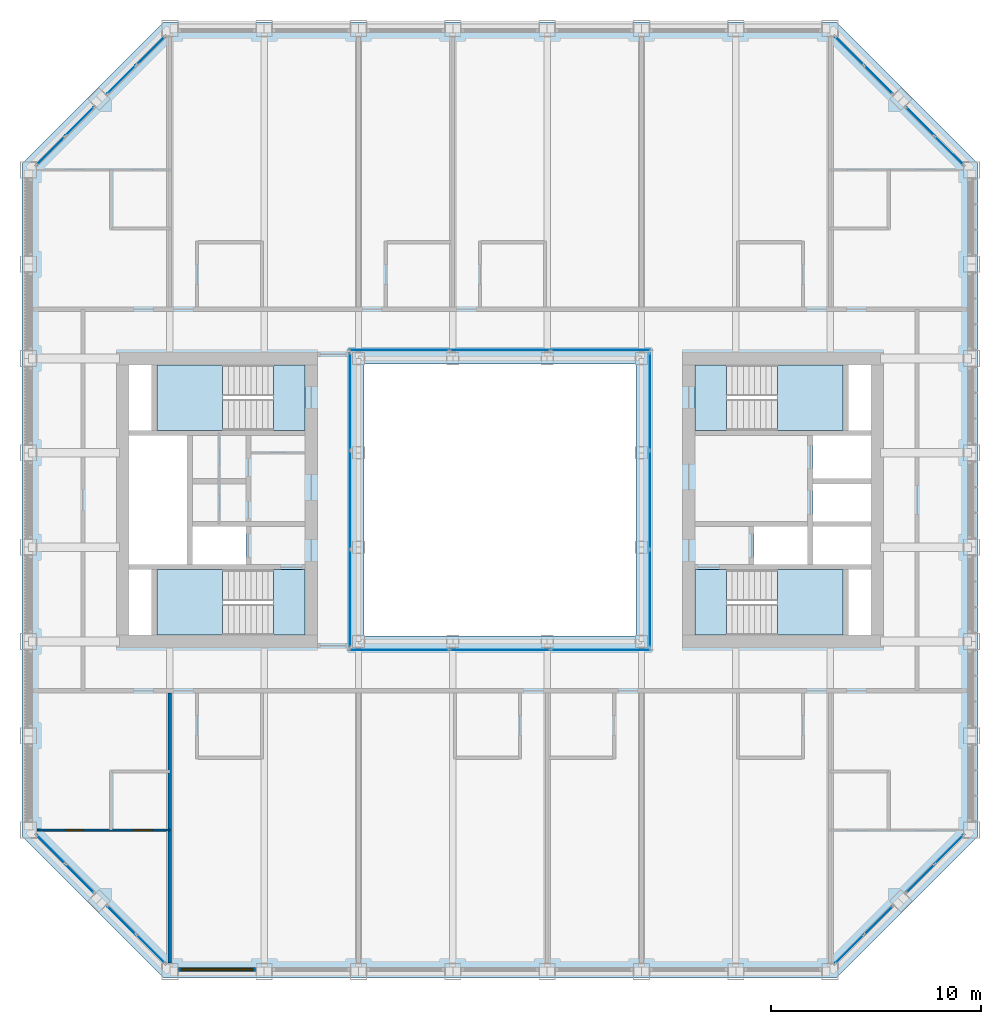
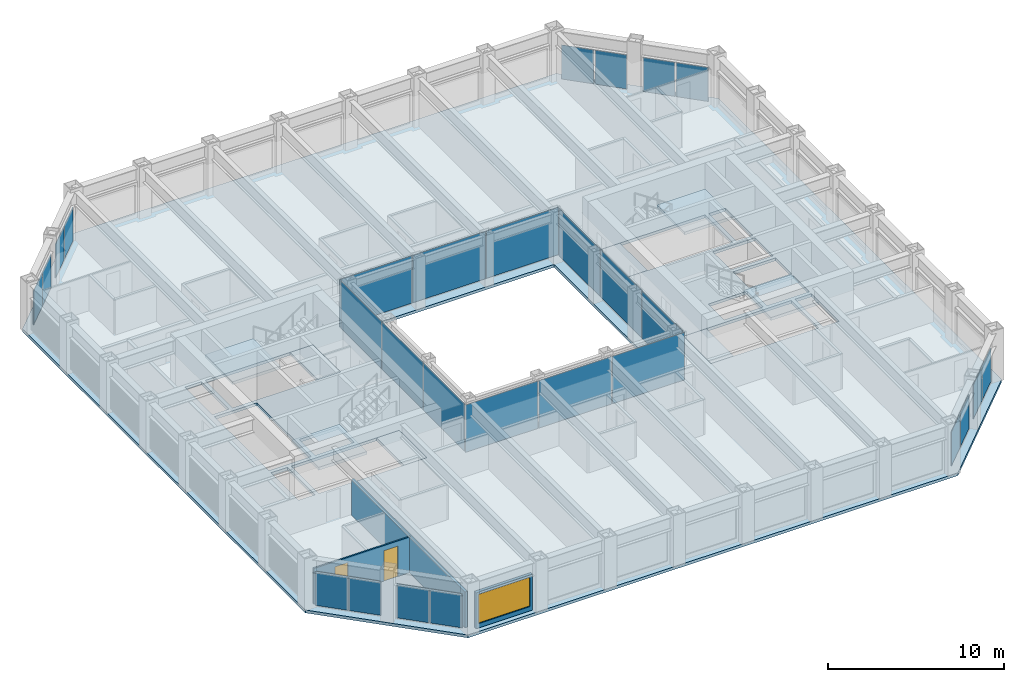
# One storey, part 9 of 17: 28 plates, 9 slabs, 3 walls, 2 doors, 1 window, 3 openings, 16 elements without a shape of their own.
"""IFC4 building model written with IfcOpenShell, lengths in metres."""

from ifc_helpers import new_model, si_unit, direction, frame, frame_2d, origin, origin_2d, place, context, subcontext, project, spatial, polyline, rectangle, outline, extrude, material, layer, layer_set, type_object, element, fill, aggregate, save


model = new_model("IFC4")

# Units and contexts
model_context = context("Model", 3, precision=1e-05, world=origin(), true_north=direction((0.0, 1.0)))
body_context = subcontext(model_context, "Body", "Model", "MODEL_VIEW")
ifc_project = project(units=[si_unit("LENGTHUNIT", "METRE"), si_unit("AREAUNIT", "SQUARE_METRE"), si_unit("VOLUMEUNIT", "CUBIC_METRE"), si_unit("PLANEANGLEUNIT", "RADIAN"), si_unit("MASSUNIT", "GRAM", prefix="KILO")], contexts=[model_context])

# Site, building, storey
site_placement = place(None, origin())
site = spatial("IfcSite", under=ifc_project, at=site_placement, CompositionType="ELEMENT")
building_placement = place(site_placement, origin())
building = spatial("IfcBuilding", under=site, at=building_placement, Name="Msasa Ring Tower", CompositionType="ELEMENT")
storey_placement = place(building_placement, frame((0.0, 0.0, 165.199951171875)))
storey = spatial("IfcBuildingStorey", under=building, at=storey_placement, Name="L43", CompositionType="ELEMENT", Elevation=165.199951171875)

# Curtain wall, plates
ifc_material_1 = material(Name="Aluminium curtain wall with clear glass", Category="aluminium")
curtain_wall_type_1 = type_object("IfcCurtainWallType", Name="CW-C CHAMFER CORNER CURTAIN WALL", PredefinedType="NOTDEFINED", material=ifc_material_1)
curtain_wall_1_placement = place(storey_placement, origin())
curtain_wall_1 = element("IfcCurtainWall", 1, at=curtain_wall_1_placement, inside=storey, type_object=curtain_wall_type_1, Name="Chamfer corner curtain wall SE L43", PredefinedType="NOTDEFINED")
ifc_material_2 = material(Name="Clear laminated insulating glass unit", Category="glass")
ifc_layer_1 = layer(ifc_material_2, 0.031982421875)
ifc_layer_set_1 = layer_set([ifc_layer_1], Name="CW-C GLASS PANEL 32")
plate_type_1 = type_object("IfcPlateType", Name="CW-C GLASS PANEL 32", PredefinedType="CURTAIN_PANEL", material=ifc_layer_set_1)
plate_1_placement = place(storey_placement, frame((16.677734375, -21.430908203125, 0.06494140625), z_axis=(0.0, 0.0, 1.0), x_axis=(0.707106781187, 0.707106781187, 0.0)))
plate_1 = element("IfcPlate", 2, at=plate_1_placement, type_object=plate_type_1, Name="CW-C panel 1.1", PredefinedType="CURTAIN_PANEL", context=body_context, shape_type="SweptSolid", body=[
    extrude(rectangle(XDim=1.884033203125, YDim=0.031982421875, at=origin_2d()), origin(), (0.0, 0.0, 1.0), 2.34912109375),
])
plate_2_placement = place(storey_placement, frame((18.055908203125, -20.052734375, 0.06494140625), z_axis=(0.0, 0.0, 1.0), x_axis=(0.707106781187, 0.707106781187, 0.0)))
plate_2 = element("IfcPlate", 3, at=plate_2_placement, type_object=plate_type_1, Name="CW-C panel 2.1", PredefinedType="CURTAIN_PANEL", context=body_context, shape_type="SweptSolid", body=[
    extrude(rectangle(XDim=1.884033203125, YDim=0.031982421875, at=origin_2d()), origin(), (0.0, 0.0, 1.0), 2.34912109375),
])
aggregate(curtain_wall_1, [plate_1, plate_2])

curtain_wall_2_placement = place(storey_placement, origin())
curtain_wall_2 = element("IfcCurtainWall", 4, at=curtain_wall_2_placement, inside=storey, type_object=curtain_wall_type_1, Name="Chamfer corner curtain wall SE L43", PredefinedType="NOTDEFINED")
plate_3_placement = place(storey_placement, frame((20.052734375, -18.055908203125, 0.06494140625), z_axis=(0.0, 0.0, 1.0), x_axis=(0.707106781187, 0.707106781187, 0.0)))
plate_3 = element("IfcPlate", 5, at=plate_3_placement, type_object=plate_type_1, Name="CW-C panel 1.1", PredefinedType="CURTAIN_PANEL", context=body_context, shape_type="SweptSolid", body=[
    extrude(rectangle(XDim=1.884033203125, YDim=0.031982421875, at=origin_2d()), origin(), (0.0, 0.0, 1.0), 2.34912109375),
])
plate_4_placement = place(storey_placement, frame((21.430908203125, -16.677734375, 0.06494140625), z_axis=(0.0, 0.0, 1.0), x_axis=(0.707106781187, 0.707106781187, 0.0)))
plate_4 = element("IfcPlate", 6, at=plate_4_placement, type_object=plate_type_1, Name="CW-C panel 2.1", PredefinedType="CURTAIN_PANEL", context=body_context, shape_type="SweptSolid", body=[
    extrude(rectangle(XDim=1.884033203125, YDim=0.031982421875, at=origin_2d()), origin(), (0.0, 0.0, 1.0), 2.34912109375),
])
aggregate(curtain_wall_2, [plate_3, plate_4])

curtain_wall_3_placement = place(storey_placement, origin())
curtain_wall_3 = element("IfcCurtainWall", 7, at=curtain_wall_3_placement, inside=storey, type_object=curtain_wall_type_1, Name="Chamfer corner curtain wall NE L43", PredefinedType="NOTDEFINED")
plate_5_placement = place(storey_placement, frame((18.055908203125, 20.052734375, 0.06494140625), z_axis=(0.0, 0.0, 1.0), x_axis=(-0.707106781187, 0.707106781187, 0.0)))
plate_5 = element("IfcPlate", 8, at=plate_5_placement, type_object=plate_type_1, Name="CW-C panel 1.1", PredefinedType="CURTAIN_PANEL", context=body_context, shape_type="SweptSolid", body=[
    extrude(rectangle(XDim=1.884033203125, YDim=0.031982421875, at=origin_2d()), origin(), (0.0, 0.0, 1.0), 2.34912109375),
])
plate_6_placement = place(storey_placement, frame((16.677734375, 21.430908203125, 0.06494140625), z_axis=(0.0, 0.0, 1.0), x_axis=(-0.707106781187, 0.707106781187, 0.0)))
plate_6 = element("IfcPlate", 9, at=plate_6_placement, type_object=plate_type_1, Name="CW-C panel 2.1", PredefinedType="CURTAIN_PANEL", context=body_context, shape_type="SweptSolid", body=[
    extrude(rectangle(XDim=1.884033203125, YDim=0.031982421875, at=origin_2d()), origin(), (0.0, 0.0, 1.0), 2.34912109375),
])
aggregate(curtain_wall_3, [plate_5, plate_6])

curtain_wall_4_placement = place(storey_placement, origin())
curtain_wall_4 = element("IfcCurtainWall", 10, at=curtain_wall_4_placement, inside=storey, type_object=curtain_wall_type_1, Name="Chamfer corner curtain wall NE L43", PredefinedType="NOTDEFINED")
plate_7_placement = place(storey_placement, frame((21.430908203125, 16.677734375, 0.06494140625), z_axis=(0.0, 0.0, 1.0), x_axis=(-0.707106781187, 0.707106781187, 0.0)))
plate_7 = element("IfcPlate", 11, at=plate_7_placement, type_object=plate_type_1, Name="CW-C panel 1.1", PredefinedType="CURTAIN_PANEL", context=body_context, shape_type="SweptSolid", body=[
    extrude(rectangle(XDim=1.884033203125, YDim=0.031982421875, at=origin_2d()), origin(), (0.0, 0.0, 1.0), 2.34912109375),
])
plate_8_placement = place(storey_placement, frame((20.052734375, 18.055908203125, 0.06494140625), z_axis=(0.0, 0.0, 1.0), x_axis=(-0.707106781187, 0.707106781187, 0.0)))
plate_8 = element("IfcPlate", 12, at=plate_8_placement, type_object=plate_type_1, Name="CW-C panel 2.1", PredefinedType="CURTAIN_PANEL", context=body_context, shape_type="SweptSolid", body=[
    extrude(rectangle(XDim=1.884033203125, YDim=0.031982421875, at=origin_2d()), origin(), (0.0, 0.0, 1.0), 2.34912109375),
])
aggregate(curtain_wall_4, [plate_7, plate_8])

curtain_wall_5_placement = place(storey_placement, origin())
curtain_wall_5 = element("IfcCurtainWall", 13, at=curtain_wall_5_placement, inside=storey, type_object=curtain_wall_type_1, Name="Chamfer corner curtain wall NW L43", PredefinedType="NOTDEFINED")
plate_9_placement = place(storey_placement, frame((-20.052734375, 18.055908203125, 0.06494140625), z_axis=(0.0, 0.0, 1.0), x_axis=(-0.707106781187, -0.707106781187, 0.0)))
plate_9 = element("IfcPlate", 14, at=plate_9_placement, type_object=plate_type_1, Name="CW-C panel 1.1", PredefinedType="CURTAIN_PANEL", context=body_context, shape_type="SweptSolid", body=[
    extrude(rectangle(XDim=1.884033203125, YDim=0.031982421875, at=origin_2d()), origin(), (0.0, 0.0, 1.0), 2.34912109375),
])
plate_10_placement = place(storey_placement, frame((-21.430908203125, 16.677734375, 0.06494140625), z_axis=(0.0, 0.0, 1.0), x_axis=(-0.707106781187, -0.707106781187, 0.0)))
plate_10 = element("IfcPlate", 15, at=plate_10_placement, type_object=plate_type_1, Name="CW-C panel 2.1", PredefinedType="CURTAIN_PANEL", context=body_context, shape_type="SweptSolid", body=[
    extrude(rectangle(XDim=1.884033203125, YDim=0.031982421875, at=origin_2d()), origin(), (0.0, 0.0, 1.0), 2.34912109375),
])
aggregate(curtain_wall_5, [plate_9, plate_10])

curtain_wall_6_placement = place(storey_placement, origin())
curtain_wall_6 = element("IfcCurtainWall", 16, at=curtain_wall_6_placement, inside=storey, type_object=curtain_wall_type_1, Name="Chamfer corner curtain wall NW L43", PredefinedType="NOTDEFINED")
plate_11_placement = place(storey_placement, frame((-16.677734375, 21.430908203125, 0.06494140625), z_axis=(0.0, 0.0, 1.0), x_axis=(-0.707106781187, -0.707106781187, 0.0)))
plate_11 = element("IfcPlate", 17, at=plate_11_placement, type_object=plate_type_1, Name="CW-C panel 1.1", PredefinedType="CURTAIN_PANEL", context=body_context, shape_type="SweptSolid", body=[
    extrude(rectangle(XDim=1.884033203125, YDim=0.031982421875, at=origin_2d()), origin(), (0.0, 0.0, 1.0), 2.34912109375),
])
plate_12_placement = place(storey_placement, frame((-18.055908203125, 20.052734375, 0.06494140625), z_axis=(0.0, 0.0, 1.0), x_axis=(-0.707106781187, -0.707106781187, 0.0)))
plate_12 = element("IfcPlate", 18, at=plate_12_placement, type_object=plate_type_1, Name="CW-C panel 2.1", PredefinedType="CURTAIN_PANEL", context=body_context, shape_type="SweptSolid", body=[
    extrude(rectangle(XDim=1.884033203125, YDim=0.031982421875, at=origin_2d()), origin(), (0.0, 0.0, 1.0), 2.34912109375),
])
aggregate(curtain_wall_6, [plate_11, plate_12])

curtain_wall_7_placement = place(storey_placement, origin())
curtain_wall_7 = element("IfcCurtainWall", 19, at=curtain_wall_7_placement, inside=storey, type_object=curtain_wall_type_1, Name="Chamfer corner curtain wall SW L43", PredefinedType="NOTDEFINED")
plate_13_placement = place(storey_placement, frame((-21.430908203125, -16.677734375, 0.06494140625), z_axis=(0.0, 0.0, 1.0), x_axis=(0.707106781187, -0.707106781187, 0.0)))
plate_13 = element("IfcPlate", 20, at=plate_13_placement, type_object=plate_type_1, Name="CW-C panel 1.1", PredefinedType="CURTAIN_PANEL", context=body_context, shape_type="SweptSolid", body=[
    extrude(rectangle(XDim=1.884033203125, YDim=0.031982421875, at=origin_2d()), origin(), (0.0, 0.0, 1.0), 2.34912109375),
])
plate_14_placement = place(storey_placement, frame((-20.052734375, -18.055908203125, 0.06494140625), z_axis=(0.0, 0.0, 1.0), x_axis=(0.707106781187, -0.707106781187, 0.0)))
plate_14 = element("IfcPlate", 21, at=plate_14_placement, type_object=plate_type_1, Name="CW-C panel 2.1", PredefinedType="CURTAIN_PANEL", context=body_context, shape_type="SweptSolid", body=[
    extrude(rectangle(XDim=1.884033203125, YDim=0.031982421875, at=origin_2d()), origin(), (0.0, 0.0, 1.0), 2.34912109375),
])
aggregate(curtain_wall_7, [plate_13, plate_14])

curtain_wall_8_placement = place(storey_placement, origin())
curtain_wall_8 = element("IfcCurtainWall", 22, at=curtain_wall_8_placement, inside=storey, type_object=curtain_wall_type_1, Name="Chamfer corner curtain wall SW L43", PredefinedType="NOTDEFINED")
plate_15_placement = place(storey_placement, frame((-18.055908203125, -20.052734375, 0.06494140625), z_axis=(0.0, 0.0, 1.0), x_axis=(0.707106781187, -0.707106781187, 0.0)))
plate_15 = element("IfcPlate", 23, at=plate_15_placement, type_object=plate_type_1, Name="CW-C panel 1.1", PredefinedType="CURTAIN_PANEL", context=body_context, shape_type="SweptSolid", body=[
    extrude(rectangle(XDim=1.884033203125, YDim=0.031982421875, at=origin_2d()), origin(), (0.0, 0.0, 1.0), 2.34912109375),
])
plate_16_placement = place(storey_placement, frame((-16.677734375, -21.430908203125, 0.06494140625), z_axis=(0.0, 0.0, 1.0), x_axis=(0.707106781187, -0.707106781187, 0.0)))
plate_16 = element("IfcPlate", 24, at=plate_16_placement, type_object=plate_type_1, Name="CW-C panel 2.1", PredefinedType="CURTAIN_PANEL", context=body_context, shape_type="SweptSolid", body=[
    extrude(rectangle(XDim=1.884033203125, YDim=0.031982421875, at=origin_2d()), origin(), (0.0, 0.0, 1.0), 2.34912109375),
])
aggregate(curtain_wall_8, [plate_15, plate_16])

ifc_material_3 = material(Name="Aluminium curtain wall with clear glass", Category="aluminium")
curtain_wall_type_2 = type_object("IfcCurtainWallType", Name="CW-W LIGHT WELL CURTAIN WALL", PredefinedType="NOTDEFINED", material=ifc_material_3)
curtain_wall_9_placement = place(storey_placement, origin())
curtain_wall_9 = element("IfcCurtainWall", 25, at=curtain_wall_9_placement, inside=storey, type_object=curtain_wall_type_2, Name="Light well curtain wall N L43", PredefinedType="NOTDEFINED")
ifc_material_4 = material(Name="Clear laminated insulating glass unit", Category="glass")
ifc_layer_2 = layer(ifc_material_4, 0.028076171875)
ifc_layer_set_2 = layer_set([ifc_layer_2], Name="CW-W GLASS PANEL 28")
plate_type_2 = type_object("IfcPlateType", Name="CW-W GLASS PANEL 28", PredefinedType="CURTAIN_PANEL", material=ifc_layer_set_2)
plate_17_placement = place(storey_placement, frame((-4.804931640625, 7.14990234375, 0.06005859375), z_axis=(0.0, 0.0, 1.0), x_axis=(1.0, 0.0, 0.0)))
plate_17 = element("IfcPlate", 26, at=plate_17_placement, type_object=plate_type_2, Name="CW-W panel 1.1", PredefinedType="CURTAIN_PANEL", context=body_context, shape_type="SweptSolid", body=[
    extrude(rectangle(XDim=4.72998046875, YDim=0.028076171875, at=origin_2d()), origin(), (0.0, 0.0, 1.0), 3.280029296875),
])
plate_18_placement = place(storey_placement, frame((0.0, 7.14990234375, 0.06005859375), z_axis=(0.0, 0.0, 1.0), x_axis=(1.0, 0.0, 0.0)))
plate_18 = element("IfcPlate", 27, at=plate_18_placement, type_object=plate_type_2, Name="CW-W panel 2.1", PredefinedType="CURTAIN_PANEL", context=body_context, shape_type="SweptSolid", body=[
    extrude(rectangle(XDim=4.760009765625, YDim=0.028076171875, at=origin_2d()), origin(), (0.0, 0.0, 1.0), 3.280029296875),
])
plate_19_placement = place(storey_placement, frame((4.804931640625, 7.14990234375, 0.06005859375), z_axis=(0.0, 0.0, 1.0), x_axis=(1.0, 0.0, 0.0)))
plate_19 = element("IfcPlate", 28, at=plate_19_placement, type_object=plate_type_2, Name="CW-W panel 3.1", PredefinedType="CURTAIN_PANEL", context=body_context, shape_type="SweptSolid", body=[
    extrude(rectangle(XDim=4.72998046875, YDim=0.028076171875, at=origin_2d()), origin(), (0.0, 0.0, 1.0), 3.280029296875),
])
aggregate(curtain_wall_9, [plate_17, plate_18, plate_19])

curtain_wall_10_placement = place(storey_placement, origin())
curtain_wall_10 = element("IfcCurtainWall", 29, at=curtain_wall_10_placement, inside=storey, type_object=curtain_wall_type_2, Name="Light well curtain wall S L43", PredefinedType="NOTDEFINED")
plate_20_placement = place(storey_placement, frame((-4.804931640625, -7.14990234375, 0.06005859375), z_axis=(0.0, 0.0, 1.0), x_axis=(1.0, 0.0, 0.0)))
plate_20 = element("IfcPlate", 30, at=plate_20_placement, type_object=plate_type_2, Name="CW-W panel 1.1", PredefinedType="CURTAIN_PANEL", context=body_context, shape_type="SweptSolid", body=[
    extrude(rectangle(XDim=4.72998046875, YDim=0.028076171875, at=origin_2d()), origin(), (0.0, 0.0, 1.0), 3.280029296875),
])
plate_21_placement = place(storey_placement, frame((0.0, -7.14990234375, 0.06005859375), z_axis=(0.0, 0.0, 1.0), x_axis=(1.0, 0.0, 0.0)))
plate_21 = element("IfcPlate", 31, at=plate_21_placement, type_object=plate_type_2, Name="CW-W panel 2.1", PredefinedType="CURTAIN_PANEL", context=body_context, shape_type="SweptSolid", body=[
    extrude(rectangle(XDim=4.760009765625, YDim=0.028076171875, at=origin_2d()), origin(), (0.0, 0.0, 1.0), 3.280029296875),
])
plate_22_placement = place(storey_placement, frame((4.804931640625, -7.14990234375, 0.06005859375), z_axis=(0.0, 0.0, 1.0), x_axis=(1.0, 0.0, 0.0)))
plate_22 = element("IfcPlate", 32, at=plate_22_placement, type_object=plate_type_2, Name="CW-W panel 3.1", PredefinedType="CURTAIN_PANEL", context=body_context, shape_type="SweptSolid", body=[
    extrude(rectangle(XDim=4.72998046875, YDim=0.028076171875, at=origin_2d()), origin(), (0.0, 0.0, 1.0), 3.280029296875),
])
aggregate(curtain_wall_10, [plate_20, plate_21, plate_22])

curtain_wall_11_placement = place(storey_placement, origin())
curtain_wall_11 = element("IfcCurtainWall", 33, at=curtain_wall_11_placement, inside=storey, type_object=curtain_wall_type_2, Name="Light well curtain wall E L43", PredefinedType="NOTDEFINED")
plate_23_placement = place(storey_placement, frame((7.14990234375, -4.6982421875, 0.06005859375), z_axis=(0.0, 0.0, 1.0), x_axis=(0.0, 1.0, 0.0)))
plate_23 = element("IfcPlate", 34, at=plate_23_placement, type_object=plate_type_2, Name="CW-W panel 1.1", PredefinedType="CURTAIN_PANEL", context=body_context, shape_type="SweptSolid", body=[
    extrude(rectangle(XDim=4.623291015625, YDim=0.028076171875, at=origin_2d()), origin(), (0.0, 0.0, 1.0), 3.280029296875),
])
plate_24_placement = place(storey_placement, frame((7.14990234375, 0.0, 0.06005859375), z_axis=(0.0, 0.0, 1.0), x_axis=(0.0, 1.0, 0.0)))
plate_24 = element("IfcPlate", 35, at=plate_24_placement, type_object=plate_type_2, Name="CW-W panel 2.1", PredefinedType="CURTAIN_PANEL", context=body_context, shape_type="SweptSolid", body=[
    extrude(rectangle(XDim=4.6533203125, YDim=0.028076171875, at=origin_2d()), origin(), (0.0, 0.0, 1.0), 3.280029296875),
])
plate_25_placement = place(storey_placement, frame((7.14990234375, 4.6982421875, 0.06005859375), z_axis=(0.0, 0.0, 1.0), x_axis=(0.0, 1.0, 0.0)))
plate_25 = element("IfcPlate", 36, at=plate_25_placement, type_object=plate_type_2, Name="CW-W panel 3.1", PredefinedType="CURTAIN_PANEL", context=body_context, shape_type="SweptSolid", body=[
    extrude(rectangle(XDim=4.623291015625, YDim=0.028076171875, at=origin_2d()), origin(), (0.0, 0.0, 1.0), 3.280029296875),
])
aggregate(curtain_wall_11, [plate_23, plate_24, plate_25])

curtain_wall_12_placement = place(storey_placement, origin())
curtain_wall_12 = element("IfcCurtainWall", 37, at=curtain_wall_12_placement, inside=storey, type_object=curtain_wall_type_2, Name="Light well curtain wall W L43", PredefinedType="NOTDEFINED")
plate_26_placement = place(storey_placement, frame((-7.14990234375, -4.6982421875, 0.06005859375), z_axis=(0.0, 0.0, 1.0), x_axis=(0.0, 1.0, 0.0)))
plate_26 = element("IfcPlate", 38, at=plate_26_placement, type_object=plate_type_2, Name="CW-W panel 1.1", PredefinedType="CURTAIN_PANEL", context=body_context, shape_type="SweptSolid", body=[
    extrude(rectangle(XDim=4.623291015625, YDim=0.028076171875, at=origin_2d()), origin(), (0.0, 0.0, 1.0), 3.280029296875),
])
plate_27_placement = place(storey_placement, frame((-7.14990234375, 0.0, 0.06005859375), z_axis=(0.0, 0.0, 1.0), x_axis=(0.0, 1.0, 0.0)))
plate_27 = element("IfcPlate", 39, at=plate_27_placement, type_object=plate_type_2, Name="CW-W panel 2.1", PredefinedType="CURTAIN_PANEL", context=body_context, shape_type="SweptSolid", body=[
    extrude(rectangle(XDim=4.6533203125, YDim=0.028076171875, at=origin_2d()), origin(), (0.0, 0.0, 1.0), 3.280029296875),
])
plate_28_placement = place(storey_placement, frame((-7.14990234375, 4.6982421875, 0.06005859375), z_axis=(0.0, 0.0, 1.0), x_axis=(0.0, 1.0, 0.0)))
plate_28 = element("IfcPlate", 40, at=plate_28_placement, type_object=plate_type_2, Name="CW-W panel 3.1", PredefinedType="CURTAIN_PANEL", context=body_context, shape_type="SweptSolid", body=[
    extrude(rectangle(XDim=4.623291015625, YDim=0.028076171875, at=origin_2d()), origin(), (0.0, 0.0, 1.0), 3.280029296875),
])
aggregate(curtain_wall_12, [plate_26, plate_27, plate_28])

# Stair, slabs
ifc_material_5 = material(Name="Concrete C40/50", Category="concrete")
stair_type = type_object("IfcStairType", Name="STC CORE STAIR 20 RISERS 180", PredefinedType="HALF_TURN_STAIR", material=ifc_material_5)
stair_1_placement = place(storey_placement, origin())
stair_1 = element("IfcStair", 41, at=stair_1_placement, inside=storey, type_object=stair_type, Name="Core stair SEA L43", PredefinedType="HALF_TURN_STAIR")
ifc_material_6 = material(Name="Concrete C40/50", Category="concrete")
ifc_layer_3 = layer(ifc_material_6, 0.199951171875)
ifc_layer_set_3 = layer_set([ifc_layer_3], Name="LD1 CORE STAIR LANDING 200")
slab_type_1 = type_object("IfcSlabType", Name="LD1 CORE STAIR LANDING 200", PredefinedType="LANDING", material=ifc_layer_set_3)
slab_1_placement = place(storey_placement, frame((0.0, 0.0, -0.199951171875)))
slab_1 = element("IfcSlab", 42, at=slab_1_placement, type_object=slab_type_1, Name="SEA landing 1", PredefinedType="LANDING", context=body_context, shape_type="SweptSolid", body=[
    extrude(outline(polyline([(9.300048828125, -6.449951171875), (10.800048828125, -6.449951171875), (10.800048828125, -3.324951171875), (9.300048828125, -3.324951171875), (9.300048828125, -6.449951171875)])), origin(), (0.0, 0.0, 1.0), 0.199951171875),
])
slab_2_placement = place(storey_placement, frame((0.0, 0.0, 1.60009765625)))
slab_2 = element("IfcSlab", 43, at=slab_2_placement, type_object=slab_type_1, Name="SEA landing 2", PredefinedType="LANDING", context=body_context, shape_type="SweptSolid", body=[
    extrude(outline(polyline([(13.22998046875, -6.449951171875), (16.375, -6.449951171875), (16.375, -3.324951171875), (13.22998046875, -3.324951171875), (13.22998046875, -6.449951171875)])), origin(), (0.0, 0.0, 1.0), 0.199951171875),
])
aggregate(stair_1, [slab_1, slab_2])

stair_2_placement = place(storey_placement, origin())
stair_2 = element("IfcStair", 44, at=stair_2_placement, inside=storey, type_object=stair_type, Name="Core stair SEB L43", PredefinedType="HALF_TURN_STAIR")
slab_3_placement = place(storey_placement, frame((0.0, 0.0, -0.199951171875)))
slab_3 = element("IfcSlab", 45, at=slab_3_placement, type_object=slab_type_1, Name="SEB landing 1", PredefinedType="LANDING", context=body_context, shape_type="SweptSolid", body=[
    extrude(outline(polyline([(9.300048828125, 3.324951171875), (10.800048828125, 3.324951171875), (10.800048828125, 6.449951171875), (9.300048828125, 6.449951171875), (9.300048828125, 3.324951171875)])), origin(), (0.0, 0.0, 1.0), 0.199951171875),
])
slab_4_placement = place(storey_placement, frame((0.0, 0.0, 1.60009765625)))
slab_4 = element("IfcSlab", 46, at=slab_4_placement, type_object=slab_type_1, Name="SEB landing 2", PredefinedType="LANDING", context=body_context, shape_type="SweptSolid", body=[
    extrude(outline(polyline([(13.22998046875, 3.324951171875), (16.375, 3.324951171875), (16.375, 6.449951171875), (13.22998046875, 6.449951171875), (13.22998046875, 3.324951171875)])), origin(), (0.0, 0.0, 1.0), 0.199951171875),
])
aggregate(stair_2, [slab_3, slab_4])

stair_3_placement = place(storey_placement, origin())
stair_3 = element("IfcStair", 47, at=stair_3_placement, inside=storey, type_object=stair_type, Name="Core stair SWA L43", PredefinedType="HALF_TURN_STAIR")
slab_5_placement = place(storey_placement, frame((0.0, 0.0, -0.199951171875)))
slab_5 = element("IfcSlab", 48, at=slab_5_placement, type_object=slab_type_1, Name="SWA landing 1", PredefinedType="LANDING", context=body_context, shape_type="SweptSolid", body=[
    extrude(outline(polyline([(-10.800048828125, -6.449951171875), (-9.300048828125, -6.449951171875), (-9.300048828125, -3.324951171875), (-10.800048828125, -3.324951171875), (-10.800048828125, -6.449951171875)])), origin(), (0.0, 0.0, 1.0), 0.199951171875),
])
slab_6_placement = place(storey_placement, frame((0.0, 0.0, 1.60009765625)))
slab_6 = element("IfcSlab", 49, at=slab_6_placement, type_object=slab_type_1, Name="SWA landing 2", PredefinedType="LANDING", context=body_context, shape_type="SweptSolid", body=[
    extrude(outline(polyline([(-16.375, -6.449951171875), (-13.22998046875, -6.449951171875), (-13.22998046875, -3.324951171875), (-16.375, -3.324951171875), (-16.375, -6.449951171875)])), origin(), (0.0, 0.0, 1.0), 0.199951171875),
])
aggregate(stair_3, [slab_5, slab_6])

stair_4_placement = place(storey_placement, origin())
stair_4 = element("IfcStair", 50, at=stair_4_placement, inside=storey, type_object=stair_type, Name="Core stair SWB L43", PredefinedType="HALF_TURN_STAIR")
slab_7_placement = place(storey_placement, frame((0.0, 0.0, -0.199951171875)))
slab_7 = element("IfcSlab", 51, at=slab_7_placement, type_object=slab_type_1, Name="SWB landing 1", PredefinedType="LANDING", context=body_context, shape_type="SweptSolid", body=[
    extrude(outline(polyline([(-10.800048828125, 3.324951171875), (-9.300048828125, 3.324951171875), (-9.300048828125, 6.449951171875), (-10.800048828125, 6.449951171875), (-10.800048828125, 3.324951171875)])), origin(), (0.0, 0.0, 1.0), 0.199951171875),
])
slab_8_placement = place(storey_placement, frame((0.0, 0.0, 1.60009765625)))
slab_8 = element("IfcSlab", 52, at=slab_8_placement, type_object=slab_type_1, Name="SWB landing 2", PredefinedType="LANDING", context=body_context, shape_type="SweptSolid", body=[
    extrude(outline(polyline([(-16.375, 3.324951171875), (-13.22998046875, 3.324951171875), (-13.22998046875, 6.449951171875), (-16.375, 6.449951171875), (-16.375, 3.324951171875)])), origin(), (0.0, 0.0, 1.0), 0.199951171875),
])
aggregate(stair_4, [slab_7, slab_8])

# Slab
ifc_material_7 = material(Name="Concrete C40/50", Category="concrete")
ifc_layer_4 = layer(ifc_material_7, 0.199951171875)
ifc_layer_set_4 = layer_set([ifc_layer_4], Name="S6 GUEST FLOOR 200")
slab_type_2 = type_object("IfcSlabType", Name="S6 GUEST FLOOR 200", PredefinedType="FLOOR", material=ifc_layer_set_4)
slab_9_placement = place(storey_placement, frame((0.0, 0.0, -0.199951171875)))
element("IfcSlab", 53, at=slab_9_placement, inside=storey, type_object=slab_type_2, Name="Floor slab L43", PredefinedType="FLOOR", context=body_context, shape_type="SweptSolid", body=[
    extrude(outline(polyline([(-16.050048828125, -22.800048828125), (16.050048828125, -22.800048828125), (22.800048828125, -16.050048828125), (22.800048828125, 16.050048828125), (16.050048828125, 22.800048828125), (-16.050048828125, 22.800048828125), (-22.800048828125, 16.050048828125), (-22.800048828125, -16.050048828125), (-16.050048828125, -22.800048828125)]), holes=[polyline([(-6.5, -6.5), (6.5, -6.5), (6.5, 6.5), (-6.5, 6.5), (-6.5, -6.5)]), polyline([(9.300048828125, -6.449951171875), (16.375, -6.449951171875), (16.375, -3.324951171875), (9.300048828125, -3.324951171875), (9.300048828125, -6.449951171875)]), polyline([(9.300048828125, 3.324951171875), (16.375, 3.324951171875), (16.375, 6.449951171875), (9.300048828125, 6.449951171875), (9.300048828125, 3.324951171875)]), polyline([(12.125, -3.074951171875), (14.675048828125, -3.074951171875), (14.675048828125, -1.27490234375), (12.125, -1.27490234375), (12.125, -3.074951171875)]), polyline([(16.625, -6.449951171875), (17.699951171875, -6.449951171875), (17.699951171875, -3.324951171875), (16.625, -3.324951171875), (16.625, -6.449951171875)]), polyline([(16.625, 3.324951171875), (17.699951171875, 3.324951171875), (17.699951171875, 6.449951171875), (16.625, 6.449951171875), (16.625, 3.324951171875)]), polyline([(14.925048828125, -3.074951171875), (17.699951171875, -3.074951171875), (17.699951171875, -1.27490234375), (14.925048828125, -1.27490234375), (14.925048828125, -3.074951171875)]), polyline([(14.925048828125, -1.02490234375), (17.699951171875, -1.02490234375), (17.699951171875, 0.77490234375), (14.925048828125, 0.77490234375), (14.925048828125, -1.02490234375)]), polyline([(14.925048828125, 1.02490234375), (17.699951171875, 1.02490234375), (17.699951171875, 3.074951171875), (14.925048828125, 3.074951171875), (14.925048828125, 1.02490234375)]), polyline([(-16.375, -6.449951171875), (-9.300048828125, -6.449951171875), (-9.300048828125, -3.324951171875), (-16.375, -3.324951171875), (-16.375, -6.449951171875)]), polyline([(-16.375, 3.324951171875), (-9.300048828125, 3.324951171875), (-9.300048828125, 6.449951171875), (-16.375, 6.449951171875), (-16.375, 3.324951171875)]), polyline([(-14.675048828125, -3.074951171875), (-12.125, -3.074951171875), (-12.125, -1.27490234375), (-14.675048828125, -1.27490234375), (-14.675048828125, -3.074951171875)]), polyline([(-17.699951171875, -6.449951171875), (-16.625, -6.449951171875), (-16.625, -3.324951171875), (-17.699951171875, -3.324951171875), (-17.699951171875, -6.449951171875)]), polyline([(-17.699951171875, 3.324951171875), (-16.625, 3.324951171875), (-16.625, 6.449951171875), (-17.699951171875, 6.449951171875), (-17.699951171875, 3.324951171875)]), polyline([(-17.699951171875, -3.074951171875), (-14.925048828125, -3.074951171875), (-14.925048828125, 3.074951171875), (-17.699951171875, 3.074951171875), (-17.699951171875, -3.074951171875)])]), origin(), (0.0, 0.0, 1.0), 0.199951171875),
])

# Wall, opening, window
ifc_material_8 = material(Name="Terracotta rainscreen on blockwork", Category="masonry")
ifc_layer_5 = layer(ifc_material_8, 0.199951171875)
ifc_layer_set_5 = layer_set([ifc_layer_5], Name="FW1 TERRACOTTA-LINED INFILL BAY WALL 200")
wall_type_1 = type_object("IfcWallType", Name="FW1 TERRACOTTA-LINED INFILL BAY WALL 200", PredefinedType="SOLIDWALL", material=ifc_layer_set_5)
wall_1_placement = place(storey_placement, frame((-15.344970703125, -22.39990234375, 0.0), z_axis=(0.0, 0.0, 1.0), x_axis=(1.0, 0.0, 0.0)))
wall_1 = element("IfcWall", 54, at=wall_1_placement, inside=storey, type_object=wall_type_1, Name="Infill bay wall S L43 00", PredefinedType="SOLIDWALL", context=body_context, shape_type="SweptSolid", body=[
    extrude(rectangle(XDim=3.68994140625, YDim=0.199951171875, at=frame_2d((1.844970703125, 0.0))), origin(), (0.0, 0.0, 1.0), 2.47900390625),
])
opening_1_placement = place(wall_1_placement, frame((0.14501953125, 0.0, 0.300048828125)))
opening_1 = element("IfcOpeningElement", 55, at=opening_1_placement, cuts=wall_1, Name="Opening WN2", PredefinedType="OPENING", context=body_context, shape_type="SweptSolid", body=[
    extrude(rectangle(XDim=3.39990234375, YDim=2.029052734375, at=frame_2d((1.699951171875, 1.0146484375))), frame((0.0, 0.10986328125, 0.0), z_axis=(0.0, -1.0, 0.0), x_axis=(1.0, 0.0, 0.0)), (0.0, 0.0, 1.0), 0.219970703125),
])
ifc_material_9 = material(Name="Aluminium frame with clear glass", Category="aluminium")
window_type = type_object("IfcWindowType", Name="WN2 GUEST ROOM WINDOW 3400x2029", PartitioningType="SINGLE_PANEL", PredefinedType="WINDOW", material=ifc_material_9)
window_placement = place(opening_1_placement, origin())
window = element("IfcWindow", 56, at=window_placement, inside=storey, type_object=window_type, Name="Window S L43 00", OverallHeight=2.029052734375, OverallWidth=3.39990234375, PartitioningType="SINGLE_PANEL", PredefinedType="WINDOW", context=body_context, shape_type="SweptSolid", body=[
    extrude(rectangle(XDim=3.39990234375, YDim=2.029052734375, at=frame_2d((1.699951171875, 1.0146484375))), frame((0.0, 0.030029296875, 0.0), z_axis=(0.0, -1.0, 0.0), x_axis=(1.0, 0.0, 0.0)), (0.0, 0.0, 1.0), 0.06005859375),
])
fill(opening_1, window)

# Wall, openings, doors
ifc_material_10 = material(Name="Gypsum board on steel studs", Category="steel")
ifc_layer_6 = layer(ifc_material_10, 0.10009765625)
ifc_layer_set_6 = layer_set([ifc_layer_6], Name="PT2 STUD PARTITION 100")
wall_type_2 = type_object("IfcWallType", Name="PT2 STUD PARTITION 100", PredefinedType="PARTITIONING", material=ifc_layer_set_6)
wall_2_placement = place(storey_placement, frame((-22.10009765625, -15.75, 0.0), z_axis=(0.0, 0.0, 1.0), x_axis=(1.0, 0.0, 0.0)))
wall_2 = element("IfcWall", 57, at=wall_2_placement, inside=storey, type_object=wall_type_2, Name="Partition L43-CSSWX", PredefinedType="PARTITIONING", context=body_context, shape_type="SweptSolid", body=[
    extrude(rectangle(XDim=6.35009765625, YDim=0.10009765625, at=frame_2d((3.175048828125, 0.0))), origin(), (0.0, 0.0, 1.0), 2.473388671875),
])
opening_2_placement = place(wall_2_placement, frame((1.375, 0.0, 0.0)))
opening_2 = element("IfcOpeningElement", 58, at=opening_2_placement, cuts=wall_2, Name="Opening HE-042", PredefinedType="OPENING", context=body_context, shape_type="SweptSolid", body=[
    extrude(rectangle(XDim=0.85009765625, YDim=2.10009765625, at=frame_2d((0.425048828125, 1.050048828125))), frame((0.0, 0.06005859375, 0.0), z_axis=(0.0, -1.0, 0.0), x_axis=(1.0, 0.0, 0.0)), (0.0, 0.0, 1.0), 0.1201171875),
])
opening_3_placement = place(wall_2_placement, frame((4.60009765625, 0.0, 0.0)))
opening_3 = element("IfcOpeningElement", 59, at=opening_3_placement, cuts=wall_2, Name="Opening HE-043", PredefinedType="OPENING", context=body_context, shape_type="SweptSolid", body=[
    extrude(rectangle(XDim=0.89990234375, YDim=2.10009765625, at=frame_2d((0.449951171875, 1.050048828125))), frame((0.0, 0.06005859375, 0.0), z_axis=(0.0, -1.0, 0.0), x_axis=(1.0, 0.0, 0.0)), (0.0, 0.0, 1.0), 0.1201171875),
])
ifc_material_11 = material(Name="Timber door leaf in a steel frame", Category="steel")
door_type_1 = type_object("IfcDoorType", Name="D14 BEDROOM DOOR 850x2100", OperationType="SINGLE_SWING_LEFT", PredefinedType="DOOR", material=ifc_material_11)
door_1_placement = place(opening_2_placement, origin())
door_1 = element("IfcDoor", 60, at=door_1_placement, inside=storey, type_object=door_type_1, Name="Door L43-CSSWR1", OperationType="SINGLE_SWING_LEFT", OverallHeight=2.10009765625, OverallWidth=0.85009765625, PredefinedType="DOOR", context=body_context, shape_type="SweptSolid", body=[
    extrude(rectangle(XDim=0.85009765625, YDim=2.10009765625, at=frame_2d((0.425048828125, 1.050048828125))), frame((0.0, 0.02490234375, 0.0), z_axis=(0.0, -1.0, 0.0), x_axis=(1.0, 0.0, 0.0)), (0.0, 0.0, 1.0), 0.050048828125),
])
fill(opening_2, door_1)
ifc_material_12 = material(Name="Timber door leaf in a steel frame", Category="steel")
door_type_2 = type_object("IfcDoorType", Name="D3 BATHROOM DOOR 900x2100", OperationType="SINGLE_SWING_LEFT", PredefinedType="DOOR", material=ifc_material_12)
door_2_placement = place(opening_3_placement, origin())
door_2 = element("IfcDoor", 61, at=door_2_placement, inside=storey, type_object=door_type_2, Name="Door L43-CSSWB1", OperationType="SINGLE_SWING_RIGHT", OverallHeight=2.10009765625, OverallWidth=0.89990234375, PredefinedType="DOOR", context=body_context, shape_type="SweptSolid", body=[
    extrude(rectangle(XDim=0.89990234375, YDim=2.10009765625, at=frame_2d((0.449951171875, 1.050048828125))), frame((0.0, 0.02490234375, 0.0), z_axis=(0.0, -1.0, 0.0), x_axis=(1.0, 0.0, 0.0)), (0.0, 0.0, 1.0), 0.050048828125),
])
fill(opening_3, door_2)

# Wall
ifc_material_13 = material(Name="Twin steel studs, two layers of acoustic board each face, mineral wool", Category="steel")
ifc_layer_7 = layer(ifc_material_13, 0.175048828125)
ifc_layer_set_7 = layer_set([ifc_layer_7], Name="PT5 GUEST ROOM SEPARATING WALL 175")
wall_type_3 = type_object("IfcWallType", Name="PT5 GUEST ROOM SEPARATING WALL 175", PredefinedType="PARTITIONING", material=ifc_layer_set_7)
wall_3_placement = place(storey_placement, frame((-15.75, -22.10009765625, 0.0), z_axis=(0.0, 0.0, 1.0), x_axis=(0.0, 1.0, 0.0)))
element("IfcWall", 62, at=wall_3_placement, inside=storey, type_object=wall_type_3, Name="Partition L43-PWS-15.75", PredefinedType="PARTITIONING", context=body_context, shape_type="SweptSolid", body=[
    extrude(rectangle(XDim=12.900146484375, YDim=0.175048828125, at=frame_2d((6.4501953125, 0.0))), origin(), (0.0, 0.0, 1.0), 2.473388671875),
])

save(model, "model.ifc")
